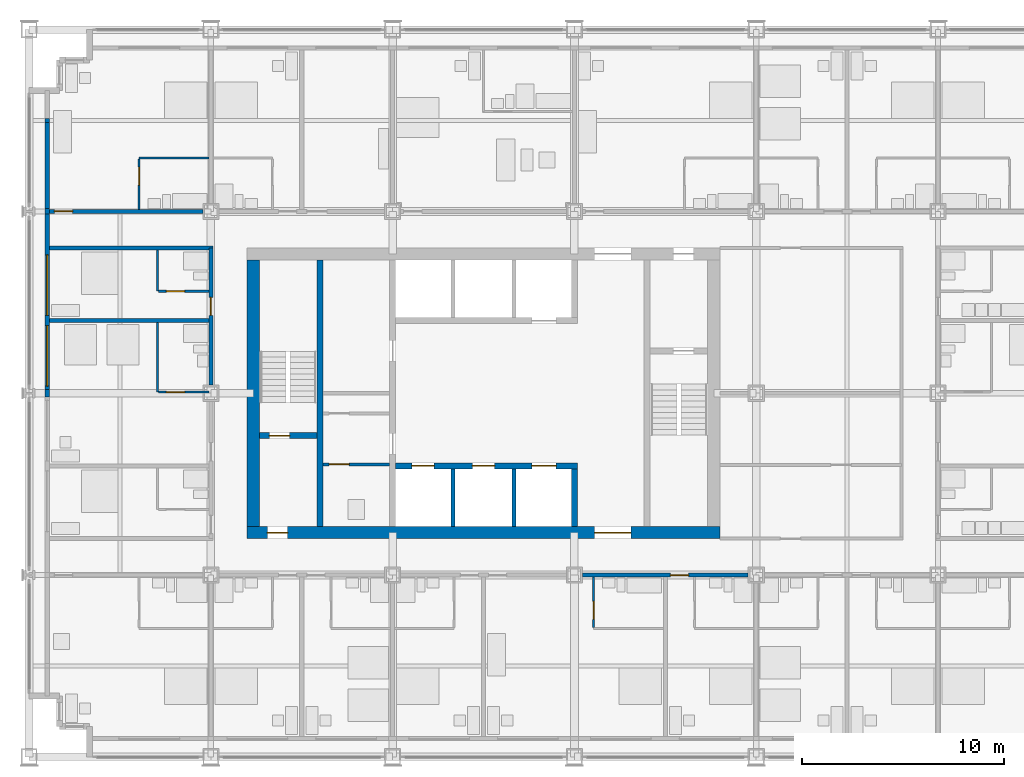
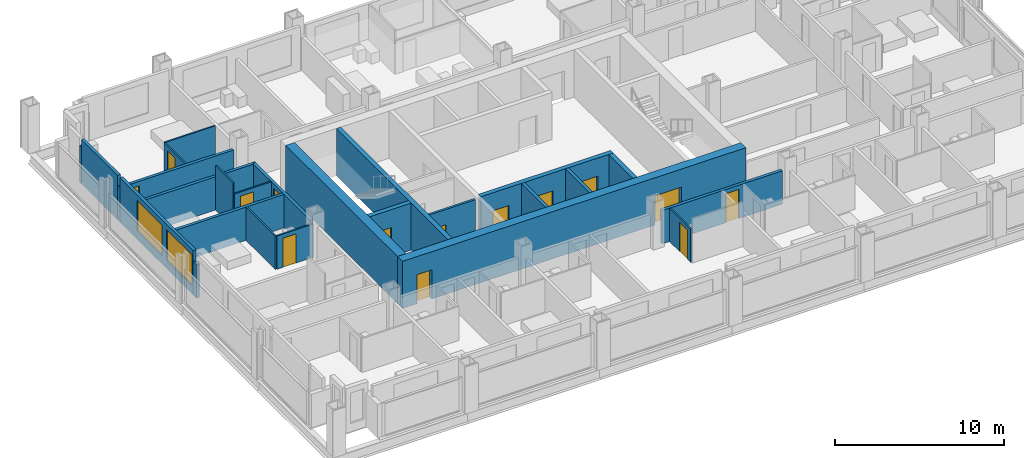
# One storey, part 11 of 18: 26 walls, 14 doors, 2 windows, 16 openings.
"""IFC4 building model written with IfcOpenShell, lengths in metres."""

from ifc_helpers import new_model, si_unit, direction, frame, frame_2d, origin, place, context, subcontext, project, spatial, rectangle, extrude, material, layer, layer_set, type_object, element, fill, save


model = new_model("IFC4")

# Units and contexts
model_context = context("Model", 3, precision=1e-05, world=origin(), true_north=direction((0.0, 1.0)))
body_context = subcontext(model_context, "Body", "Model", "MODEL_VIEW")
ifc_project = project(units=[si_unit("LENGTHUNIT", "METRE"), si_unit("AREAUNIT", "SQUARE_METRE"), si_unit("VOLUMEUNIT", "CUBIC_METRE"), si_unit("PLANEANGLEUNIT", "RADIAN"), si_unit("MASSUNIT", "GRAM", prefix="KILO")], contexts=[model_context])

# Site, building, storey
site_placement = place(None, origin())
site = spatial("IfcSite", under=ifc_project, at=site_placement, CompositionType="ELEMENT")
building_placement = place(site_placement, origin())
building = spatial("IfcBuilding", under=site, at=building_placement, Name="Loomwork Tower", CompositionType="ELEMENT")
storey_placement = place(building_placement, frame((0.0, 0.0, 82.39990234375)))
storey = spatial("IfcBuildingStorey", under=building, at=storey_placement, Name="L21", CompositionType="ELEMENT", Elevation=82.39990234375)

# Wall
ifc_material_1 = material(Name="Concrete 14000 psi (97 MPa)", Category="concrete")
ifc_layer_1 = layer(ifc_material_1, 0.300048828125)
ifc_layer_set_1 = layer_set([ifc_layer_1], Name="Core shear wall 300")
wall_type_1 = type_object("IfcWallType", Name="Core shear wall 300", PredefinedType="SHEAR", material=ifc_layer_set_1)
wall_1_placement = place(storey_placement, frame((14.39990234375, 11.39990234375, 0.0), z_axis=(0.0, 0.0, 1.0), x_axis=(0.0, 1.0, 0.0)))
element("IfcWall", 1, at=wall_1_placement, inside=storey, type_object=wall_type_1, Name="Stair A east wall L21", PredefinedType="SHEAR", context=body_context, shape_type="SweptSolid", body=[
    extrude(rectangle(XDim=13.2001953125, YDim=0.300048828125, at=frame_2d((6.60009765625, 0.0))), origin(), (0.0, 0.0, 1.0), 3.400146484375),
])

# Wall, opening, door
wall_2_placement = place(storey_placement, frame((11.39990234375, 15.89990234375, 0.0), z_axis=(0.0, 0.0, 1.0), x_axis=(1.0, 0.0, 0.0)))
wall_2 = element("IfcWall", 2, at=wall_2_placement, inside=storey, type_object=wall_type_1, Name="Stair A south wall L21", PredefinedType="SHEAR", context=body_context, shape_type="SweptSolid", body=[
    extrude(rectangle(XDim=2.85009765625, YDim=0.300048828125, at=frame_2d((1.425048828125, 0.0))), origin(), (0.0, 0.0, 1.0), 3.400146484375),
])
opening_1_placement = place(wall_2_placement, frame((0.5, 0.0, 0.0)))
opening_1 = element("IfcOpeningElement", 3, at=opening_1_placement, cuts=wall_2, Name="Opening D4", PredefinedType="OPENING", context=body_context, shape_type="SweptSolid", body=[
    extrude(rectangle(XDim=1.0, YDim=2.10009765625, at=frame_2d((0.5, 1.050048828125))), frame((0.0, 0.159912109375, 0.0), z_axis=(0.0, -1.0, 0.0), x_axis=(1.0, 0.0, 0.0)), (0.0, 0.0, 1.0), 0.320068359375),
])
ifc_material_2 = material(Name="Hollow metal door and frame")
door_type_1 = type_object("IfcDoorType", Name="Stair door 1000", OperationType="SINGLE_SWING_RIGHT", PredefinedType="DOOR", material=ifc_material_2)
door_1_placement = place(opening_1_placement, origin())
door_1 = element("IfcDoor", 4, at=door_1_placement, inside=storey, type_object=door_type_1, Name="Stair A door", OperationType="SINGLE_SWING_LEFT", OverallHeight=2.10009765625, OverallWidth=1.0, PredefinedType="DOOR", context=body_context, shape_type="SweptSolid", body=[
    extrude(rectangle(XDim=1.0, YDim=2.10009765625, at=frame_2d((0.5, 1.050048828125))), frame((0.0, 0.02490234375, 0.0), z_axis=(0.0, -1.0, 0.0), x_axis=(1.0, 0.0, 0.0)), (0.0, 0.0, 1.0), 0.050048828125),
])
fill(opening_1, door_1)

# Wall, openings, doors
wall_3_placement = place(storey_placement, frame((18.14990234375, 14.39990234375, 0.0), z_axis=(0.0, 0.0, 1.0), x_axis=(1.0, 0.0, 0.0)))
wall_3 = element("IfcWall", 5, at=wall_3_placement, inside=storey, type_object=wall_type_1, Name="Lift front wall south L21", PredefinedType="SHEAR", context=body_context, shape_type="SweptSolid", body=[
    extrude(rectangle(XDim=9.0, YDim=0.300048828125, at=frame_2d((4.5, 0.0))), origin(), (0.0, 0.0, 1.0), 3.400146484375),
])
opening_2_placement = place(wall_3_placement, frame((0.800048828125, 0.0, 0.0)))
opening_2 = element("IfcOpeningElement", 6, at=opening_2_placement, cuts=wall_3, Name="Opening LD1", PredefinedType="OPENING", context=body_context, shape_type="SweptSolid", body=[
    extrude(rectangle(XDim=1.10009765625, YDim=2.10009765625, at=frame_2d((0.550048828125, 1.050048828125))), frame((0.0, 0.159912109375, 0.0), z_axis=(0.0, -1.0, 0.0), x_axis=(1.0, 0.0, 0.0)), (0.0, 0.0, 1.0), 0.320068359375),
])
opening_3_placement = place(wall_3_placement, frame((3.800048828125, 0.0, 0.0)))
opening_3 = element("IfcOpeningElement", 7, at=opening_3_placement, cuts=wall_3, Name="Opening LD1", PredefinedType="OPENING", context=body_context, shape_type="SweptSolid", body=[
    extrude(rectangle(XDim=1.10009765625, YDim=2.10009765625, at=frame_2d((0.550048828125, 1.050048828125))), frame((0.0, 0.159912109375, 0.0), z_axis=(0.0, -1.0, 0.0), x_axis=(1.0, 0.0, 0.0)), (0.0, 0.0, 1.0), 0.320068359375),
])
opening_4_placement = place(wall_3_placement, frame((6.75, 0.0, 0.0)))
opening_4 = element("IfcOpeningElement", 8, at=opening_4_placement, cuts=wall_3, Name="Opening LD2", PredefinedType="OPENING", context=body_context, shape_type="SweptSolid", body=[
    extrude(rectangle(XDim=1.199951171875, YDim=2.10009765625, at=frame_2d((0.60009765625, 1.050048828125))), frame((0.0, 0.159912109375, 0.0), z_axis=(0.0, -1.0, 0.0), x_axis=(1.0, 0.0, 0.0)), (0.0, 0.0, 1.0), 0.320068359375),
])
ifc_material_3 = material(Name="Hollow metal door and frame")
door_type_2 = type_object("IfcDoorType", Name="Lift landing door 1100", OperationType="SLIDING_TO_LEFT", PredefinedType="DOOR", material=ifc_material_3)
door_2_placement = place(opening_2_placement, origin())
door_2 = element("IfcDoor", 9, at=door_2_placement, inside=storey, type_object=door_type_2, Name="Lift landing door LA1", OperationType="SLIDING_TO_LEFT", OverallHeight=2.10009765625, OverallWidth=1.10009765625, PredefinedType="DOOR", context=body_context, shape_type="SweptSolid", body=[
    extrude(rectangle(XDim=1.10009765625, YDim=2.10009765625, at=frame_2d((0.550048828125, 1.050048828125))), frame((0.0, 0.02490234375, 0.0), z_axis=(0.0, -1.0, 0.0), x_axis=(1.0, 0.0, 0.0)), (0.0, 0.0, 1.0), 0.050048828125),
])
fill(opening_2, door_2)
door_3_placement = place(opening_3_placement, origin())
door_3 = element("IfcDoor", 10, at=door_3_placement, inside=storey, type_object=door_type_2, Name="Lift landing door LA2", OperationType="SLIDING_TO_LEFT", OverallHeight=2.10009765625, OverallWidth=1.10009765625, PredefinedType="DOOR", context=body_context, shape_type="SweptSolid", body=[
    extrude(rectangle(XDim=1.10009765625, YDim=2.10009765625, at=frame_2d((0.550048828125, 1.050048828125))), frame((0.0, 0.02490234375, 0.0), z_axis=(0.0, -1.0, 0.0), x_axis=(1.0, 0.0, 0.0)), (0.0, 0.0, 1.0), 0.050048828125),
])
fill(opening_3, door_3)
ifc_material_4 = material(Name="Hollow metal door and frame")
door_type_3 = type_object("IfcDoorType", Name="Lift landing door 1200", OperationType="SLIDING_TO_LEFT", PredefinedType="DOOR", material=ifc_material_4)
door_4_placement = place(opening_4_placement, origin())
door_4 = element("IfcDoor", 11, at=door_4_placement, inside=storey, type_object=door_type_3, Name="Lift landing door LF1", OperationType="SLIDING_TO_LEFT", OverallHeight=2.10009765625, OverallWidth=1.199951171875, PredefinedType="DOOR", context=body_context, shape_type="SweptSolid", body=[
    extrude(rectangle(XDim=1.199951171875, YDim=2.10009765625, at=frame_2d((0.60009765625, 1.050048828125))), frame((0.0, 0.02490234375, 0.0), z_axis=(0.0, -1.0, 0.0), x_axis=(1.0, 0.0, 0.0)), (0.0, 0.0, 1.0), 0.050048828125),
])
fill(opening_4, door_4)

# Wall
wall_4_placement = place(storey_placement, frame((27.0, 11.39990234375, 0.0), z_axis=(0.0, 0.0, 1.0), x_axis=(0.0, 1.0, 0.0)))
element("IfcWall", 12, at=wall_4_placement, inside=storey, type_object=wall_type_1, Name="Lift shaft end wall south L21", PredefinedType="SHEAR", context=body_context, shape_type="SweptSolid", body=[
    extrude(rectangle(XDim=2.85009765625, YDim=0.300048828125, at=frame_2d((1.425048828125, 0.0))), origin(), (0.0, 0.0, 1.0), 3.400146484375),
])

# Wall, openings, doors
ifc_material_5 = material(Name="Concrete 14000 psi (97 MPa)", Category="concrete")
ifc_layer_2 = layer(ifc_material_5, 0.60009765625)
ifc_layer_set_2 = layer_set([ifc_layer_2], Name="Core shear wall 600")
wall_type_2 = type_object("IfcWallType", Name="Core shear wall 600", PredefinedType="SHEAR", material=ifc_layer_set_2)
wall_5_placement = place(storey_placement, frame((10.800048828125, 11.10009765625, 0.0), z_axis=(0.0, 0.0, 1.0), x_axis=(1.0, 0.0, 0.0)))
wall_5 = element("IfcWall", 13, at=wall_5_placement, inside=storey, type_object=wall_type_2, Name="Core wall south L21", PredefinedType="SHEAR", context=body_context, shape_type="SweptSolid", body=[
    extrude(rectangle(XDim=23.39990234375, YDim=0.60009765625, at=frame_2d((11.699951171875, 0.0))), origin(), (0.0, 0.0, 1.0), 3.400146484375),
])
opening_5_placement = place(wall_5_placement, frame((1.0, 0.0, 0.0)))
opening_5 = element("IfcOpeningElement", 14, at=opening_5_placement, cuts=wall_5, Name="Opening D4", PredefinedType="OPENING", context=body_context, shape_type="SweptSolid", body=[
    extrude(rectangle(XDim=1.0, YDim=2.10009765625, at=frame_2d((0.5, 1.050048828125))), frame((0.0, 0.31005859375, 0.0), z_axis=(0.0, -1.0, 0.0), x_axis=(1.0, 0.0, 0.0)), (0.0, 0.0, 1.0), 0.6201171875),
])
opening_6_placement = place(wall_5_placement, frame((17.199951171875, 0.0, 0.0)))
opening_6 = element("IfcOpeningElement", 15, at=opening_6_placement, cuts=wall_5, Name="Opening D6", PredefinedType="OPENING", context=body_context, shape_type="SweptSolid", body=[
    extrude(rectangle(XDim=1.800048828125, YDim=2.10009765625, at=frame_2d((0.89990234375, 1.050048828125))), frame((0.0, 0.31005859375, 0.0), z_axis=(0.0, -1.0, 0.0), x_axis=(1.0, 0.0, 0.0)), (0.0, 0.0, 1.0), 0.6201171875),
])
ifc_material_6 = material(Name="Hollow metal door and frame")
door_type_4 = type_object("IfcDoorType", Name="Lobby passage double door 1800", OperationType="DOUBLE_DOOR_SINGLE_SWING", PredefinedType="DOOR", material=ifc_material_6)
door_5_placement = place(opening_6_placement, origin())
door_5 = element("IfcDoor", 16, at=door_5_placement, inside=storey, type_object=door_type_4, Name="Lobby passage door south", OperationType="DOUBLE_DOOR_SINGLE_SWING", OverallHeight=2.10009765625, OverallWidth=1.800048828125, PredefinedType="DOOR", context=body_context, shape_type="SweptSolid", body=[
    extrude(rectangle(XDim=1.800048828125, YDim=2.10009765625, at=frame_2d((0.89990234375, 1.050048828125))), frame((0.0, 0.02490234375, 0.0), z_axis=(0.0, -1.0, 0.0), x_axis=(1.0, 0.0, 0.0)), (0.0, 0.0, 1.0), 0.050048828125),
])
fill(opening_6, door_5)
door_6_placement = place(opening_5_placement, origin())
door_6 = element("IfcDoor", 17, at=door_6_placement, inside=storey, type_object=door_type_1, Name="Stair A vestibule door", OperationType="SINGLE_SWING_LEFT", OverallHeight=2.10009765625, OverallWidth=1.0, PredefinedType="DOOR", context=body_context, shape_type="SweptSolid", body=[
    extrude(rectangle(XDim=1.0, YDim=2.10009765625, at=frame_2d((0.5, 1.050048828125))), frame((0.0, 0.02490234375, 0.0), z_axis=(0.0, -1.0, 0.0), x_axis=(1.0, 0.0, 0.0)), (0.0, 0.0, 1.0), 0.050048828125),
])
fill(opening_5, door_6)

# Wall
wall_6_placement = place(storey_placement, frame((11.10009765625, 11.39990234375, 0.0), z_axis=(0.0, 0.0, 1.0), x_axis=(0.0, 1.0, 0.0)))
element("IfcWall", 18, at=wall_6_placement, inside=storey, type_object=wall_type_2, Name="Core wall west L21", PredefinedType="SHEAR", context=body_context, shape_type="SweptSolid", body=[
    extrude(rectangle(XDim=13.2001953125, YDim=0.60009765625, at=frame_2d((6.60009765625, 0.0))), origin(), (0.0, 0.0, 1.0), 3.400146484375),
])

# Wall, opening, door
ifc_material_7 = material(Name="Gypsum board on steel studs, one-hour", Category="steel")
ifc_layer_3 = layer(ifc_material_7, 0.199951171875)
ifc_layer_set_3 = layer_set([ifc_layer_3], Name="Corridor wall 200")
wall_type_3 = type_object("IfcWallType", Name="Corridor wall 200", PredefinedType="PARTITIONING", material=ifc_layer_set_3)
wall_7_placement = place(storey_placement, frame((27.39990234375, 9.0, 0.0), z_axis=(0.0, 0.0, 1.0), x_axis=(1.0, 0.0, 0.0)))
wall_7 = element("IfcWall", 19, at=wall_7_placement, inside=storey, type_object=wall_type_3, Name="South corridor wall 4", PredefinedType="PARTITIONING", context=body_context, shape_type="SweptSolid", body=[
    extrude(rectangle(XDim=8.2001953125, YDim=0.199951171875, at=frame_2d((4.10009765625, 0.0))), origin(), (0.0, 0.0, 1.0), 2.405029296875),
])
opening_7_placement = place(wall_7_placement, frame((4.35009765625, 0.0, 0.0)))
opening_7 = element("IfcOpeningElement", 20, at=opening_7_placement, cuts=wall_7, Name="Opening D1", PredefinedType="OPENING", context=body_context, shape_type="SweptSolid", body=[
    extrude(rectangle(XDim=0.89990234375, YDim=2.10009765625, at=frame_2d((0.449951171875, 1.050048828125))), frame((0.0, 0.10986328125, 0.0), z_axis=(0.0, -1.0, 0.0), x_axis=(1.0, 0.0, 0.0)), (0.0, 0.0, 1.0), 0.219970703125),
])
ifc_material_8 = material(Name="Hollow metal door and frame")
door_type_5 = type_object("IfcDoorType", Name="Guest room entry door 900", OperationType="SINGLE_SWING_LEFT", PredefinedType="DOOR", material=ifc_material_8)
door_7_placement = place(opening_7_placement, frame((0.89990234375, 0.0, 0.0), z_axis=(0.0, 0.0, 1.0), x_axis=(-1.0, 0.0, 0.0)))
door_7 = element("IfcDoor", 21, at=door_7_placement, inside=storey, type_object=door_type_5, Name="Guest room entry door L21 6", OperationType="SINGLE_SWING_RIGHT", OverallHeight=2.10009765625, OverallWidth=0.89990234375, PredefinedType="DOOR", context=body_context, shape_type="SweptSolid", body=[
    extrude(rectangle(XDim=0.89990234375, YDim=2.10009765625, at=frame_2d((0.449951171875, 1.050048828125))), frame((0.0, 0.02490234375, 0.0), z_axis=(0.0, -1.0, 0.0), x_axis=(1.0, 0.0, 0.0)), (0.0, 0.0, 1.0), 0.050048828125),
])
fill(opening_7, door_7)

wall_8_placement = place(storey_placement, frame((1.0, 27.0, 0.0), z_axis=(0.0, 0.0, 1.0), x_axis=(1.0, 0.0, 0.0)))
wall_8 = element("IfcWall", 22, at=wall_8_placement, inside=storey, type_object=wall_type_3, Name="North corridor wall 1", PredefinedType="PARTITIONING", context=body_context, shape_type="SweptSolid", body=[
    extrude(rectangle(XDim=7.60009765625, YDim=0.199951171875, at=frame_2d((3.800048828125, 0.0))), origin(), (0.0, 0.0, 1.0), 2.43798828125),
])
opening_8_placement = place(wall_8_placement, frame((0.25, 0.0, 0.0)))
opening_8 = element("IfcOpeningElement", 23, at=opening_8_placement, cuts=wall_8, Name="Opening D1", PredefinedType="OPENING", context=body_context, shape_type="SweptSolid", body=[
    extrude(rectangle(XDim=0.89990234375, YDim=2.10009765625, at=frame_2d((0.449951171875, 1.050048828125))), frame((0.0, 0.10986328125, 0.0), z_axis=(0.0, -1.0, 0.0), x_axis=(1.0, 0.0, 0.0)), (0.0, 0.0, 1.0), 0.219970703125),
])
door_8_placement = place(opening_8_placement, origin())
door_8 = element("IfcDoor", 24, at=door_8_placement, inside=storey, type_object=door_type_5, Name="Guest room entry door L21 10", OperationType="SINGLE_SWING_LEFT", OverallHeight=2.10009765625, OverallWidth=0.89990234375, PredefinedType="DOOR", context=body_context, shape_type="SweptSolid", body=[
    extrude(rectangle(XDim=0.89990234375, YDim=2.10009765625, at=frame_2d((0.449951171875, 1.050048828125))), frame((0.0, 0.02490234375, 0.0), z_axis=(0.0, -1.0, 0.0), x_axis=(1.0, 0.0, 0.0)), (0.0, 0.0, 1.0), 0.050048828125),
])
fill(opening_8, door_8)

wall_9_placement = place(storey_placement, frame((9.0, 18.39990234375, 0.0), z_axis=(0.0, 0.0, 1.0), x_axis=(0.0, 1.0, 0.0)))
wall_9 = element("IfcWall", 25, at=wall_9_placement, inside=storey, type_object=wall_type_3, Name="West corridor wall 2", PredefinedType="PARTITIONING", context=body_context, shape_type="SweptSolid", body=[
    extrude(rectangle(XDim=6.800048828125, YDim=0.199951171875, at=frame_2d((3.39990234375, 0.0))), origin(), (0.0, 0.0, 1.0), 2.405029296875),
])
opening_9_placement = place(wall_9_placement, frame((3.449951171875, 0.0, 0.0)))
opening_9 = element("IfcOpeningElement", 26, at=opening_9_placement, cuts=wall_9, Name="Opening D1", PredefinedType="OPENING", context=body_context, shape_type="SweptSolid", body=[
    extrude(rectangle(XDim=0.89990234375, YDim=2.10009765625, at=frame_2d((0.449951171875, 1.050048828125))), frame((0.0, 0.10986328125, 0.0), z_axis=(0.0, -1.0, 0.0), x_axis=(1.0, 0.0, 0.0)), (0.0, 0.0, 1.0), 0.219970703125),
])
door_9_placement = place(opening_9_placement, origin())
door_9 = element("IfcDoor", 27, at=door_9_placement, inside=storey, type_object=door_type_5, Name="Guest room entry door L21 20", OperationType="SINGLE_SWING_LEFT", OverallHeight=2.10009765625, OverallWidth=0.89990234375, PredefinedType="DOOR", context=body_context, shape_type="SweptSolid", body=[
    extrude(rectangle(XDim=0.89990234375, YDim=2.10009765625, at=frame_2d((0.449951171875, 1.050048828125))), frame((0.0, 0.02490234375, 0.0), z_axis=(0.0, -1.0, 0.0), x_axis=(1.0, 0.0, 0.0)), (0.0, 0.0, 1.0), 0.050048828125),
])
fill(opening_9, door_9)

# Wall
wall_10_placement = place(storey_placement, frame((1.0, 25.199951171875, 0.0), z_axis=(0.0, 0.0, 1.0), x_axis=(1.0, 0.0, 0.0)))
element("IfcWall", 28, at=wall_10_placement, inside=storey, type_object=wall_type_3, Name="West band end wall N", PredefinedType="PARTITIONING", context=body_context, shape_type="SweptSolid", body=[
    extrude(rectangle(XDim=8.10009765625, YDim=0.199951171875, at=frame_2d((4.050048828125, 0.0))), origin(), (0.0, 0.0, 1.0), 2.404052734375),
])

# Wall, opening, door
ifc_material_9 = material(Name="Cement board on steel studs", Category="steel")
ifc_layer_4 = layer(ifc_material_9, 0.10009765625)
ifc_layer_set_4 = layer_set([ifc_layer_4], Name="En-suite partition 100")
wall_type_4 = type_object("IfcWallType", Name="En-suite partition 100", PredefinedType="PARTITIONING", material=ifc_layer_set_4)
wall_11_placement = place(storey_placement, frame((27.949951171875, 8.89990234375, 0.0), z_axis=(0.0, 0.0, 1.0), x_axis=(0.0, -1.0, 0.0)))
wall_11 = element("IfcWall", 29, at=wall_11_placement, inside=storey, type_object=wall_type_4, Name="En-suite side wall L21 room 5", PredefinedType="PARTITIONING", context=body_context, shape_type="SweptSolid", body=[
    extrude(rectangle(XDim=2.5, YDim=0.10009765625, at=frame_2d((1.25, 0.0))), origin(), (0.0, 0.0, 1.0), 2.404052734375),
])
opening_10_placement = place(wall_11_placement, frame((1.199951171875, 0.0, 0.0)))
opening_10 = element("IfcOpeningElement", 30, at=opening_10_placement, cuts=wall_11, Name="Opening D2", PredefinedType="OPENING", context=body_context, shape_type="SweptSolid", body=[
    extrude(rectangle(XDim=0.89990234375, YDim=2.10009765625, at=frame_2d((0.449951171875, 1.050048828125))), frame((0.0, 0.06005859375, 0.0), z_axis=(0.0, -1.0, 0.0), x_axis=(1.0, 0.0, 0.0)), (0.0, 0.0, 1.0), 0.1201171875),
])
ifc_material_10 = material(Name="Hollow metal door and frame")
door_type_6 = type_object("IfcDoorType", Name="En-suite door 900", OperationType="SINGLE_SWING_LEFT", PredefinedType="DOOR", material=ifc_material_10)
door_10_placement = place(opening_10_placement, origin())
door_10 = element("IfcDoor", 31, at=door_10_placement, inside=storey, type_object=door_type_6, Name="En-suite door room 5", OperationType="SINGLE_SWING_RIGHT", OverallHeight=2.10009765625, OverallWidth=0.89990234375, PredefinedType="DOOR", context=body_context, shape_type="SweptSolid", body=[
    extrude(rectangle(XDim=0.89990234375, YDim=2.10009765625, at=frame_2d((0.449951171875, 1.050048828125))), frame((0.0, 0.02490234375, 0.0), z_axis=(0.0, -1.0, 0.0), x_axis=(1.0, 0.0, 0.0)), (0.0, 0.0, 1.0), 0.050048828125),
])
fill(opening_10, door_10)

# Wall
wall_12_placement = place(storey_placement, frame((5.449951171875, 29.64990234375, 0.0), z_axis=(0.0, 0.0, 1.0), x_axis=(1.0, 0.0, 0.0)))
element("IfcWall", 32, at=wall_12_placement, inside=storey, type_object=wall_type_4, Name="En-suite wall L21 room 10", PredefinedType="PARTITIONING", context=body_context, shape_type="SweptSolid", body=[
    extrude(rectangle(XDim=3.449951171875, YDim=0.10009765625, at=frame_2d((1.72509765625, 0.0))), origin(), (0.0, 0.0, 1.0), 2.43798828125),
])

# Wall, opening, door
wall_13_placement = place(storey_placement, frame((5.449951171875, 27.10009765625, 0.0), z_axis=(0.0, 0.0, 1.0), x_axis=(0.0, 1.0, 0.0)))
wall_13 = element("IfcWall", 33, at=wall_13_placement, inside=storey, type_object=wall_type_4, Name="En-suite side wall L21 room 10", PredefinedType="PARTITIONING", context=body_context, shape_type="SweptSolid", body=[
    extrude(rectangle(XDim=2.5, YDim=0.10009765625, at=frame_2d((1.25, 0.0))), origin(), (0.0, 0.0, 1.0), 2.43798828125),
])
opening_11_placement = place(wall_13_placement, frame((1.199951171875, 0.0, 0.0)))
opening_11 = element("IfcOpeningElement", 34, at=opening_11_placement, cuts=wall_13, Name="Opening D2", PredefinedType="OPENING", context=body_context, shape_type="SweptSolid", body=[
    extrude(rectangle(XDim=0.89990234375, YDim=2.10009765625, at=frame_2d((0.449951171875, 1.050048828125))), frame((0.0, 0.06005859375, 0.0), z_axis=(0.0, -1.0, 0.0), x_axis=(1.0, 0.0, 0.0)), (0.0, 0.0, 1.0), 0.1201171875),
])
door_11_placement = place(opening_11_placement, frame((0.89990234375, 0.0, 0.0), z_axis=(0.0, 0.0, 1.0), x_axis=(-1.0, 0.0, 0.0)))
door_11 = element("IfcDoor", 35, at=door_11_placement, inside=storey, type_object=door_type_6, Name="En-suite door room 10", OperationType="SINGLE_SWING_LEFT", OverallHeight=2.10009765625, OverallWidth=0.89990234375, PredefinedType="DOOR", context=body_context, shape_type="SweptSolid", body=[
    extrude(rectangle(XDim=0.89990234375, YDim=2.10009765625, at=frame_2d((0.449951171875, 1.050048828125))), frame((0.0, 0.02490234375, 0.0), z_axis=(0.0, -1.0, 0.0), x_axis=(1.0, 0.0, 0.0)), (0.0, 0.0, 1.0), 0.050048828125),
])
fill(opening_11, door_11)

# Wall
wall_14_placement = place(storey_placement, frame((6.35009765625, 18.050048828125, 0.0), z_axis=(0.0, 0.0, 1.0), x_axis=(0.0, 1.0, 0.0)))
element("IfcWall", 36, at=wall_14_placement, inside=storey, type_object=wall_type_4, Name="En-suite wall L21 room 19", PredefinedType="PARTITIONING", context=body_context, shape_type="SweptSolid", body=[
    extrude(rectangle(XDim=3.449951171875, YDim=0.10009765625, at=frame_2d((1.72509765625, 0.0))), origin(), (0.0, 0.0, 1.0), 2.404052734375),
])

# Wall, opening, door
wall_15_placement = place(storey_placement, frame((8.89990234375, 18.050048828125, 0.0), z_axis=(0.0, 0.0, 1.0), x_axis=(-1.0, 0.0, 0.0)))
wall_15 = element("IfcWall", 37, at=wall_15_placement, inside=storey, type_object=wall_type_4, Name="En-suite side wall L21 room 19", PredefinedType="PARTITIONING", context=body_context, shape_type="SweptSolid", body=[
    extrude(rectangle(XDim=2.5, YDim=0.10009765625, at=frame_2d((1.25, 0.0))), origin(), (0.0, 0.0, 1.0), 2.405029296875),
])
opening_12_placement = place(wall_15_placement, frame((1.199951171875, 0.0, 0.0)))
opening_12 = element("IfcOpeningElement", 38, at=opening_12_placement, cuts=wall_15, Name="Opening D2", PredefinedType="OPENING", context=body_context, shape_type="SweptSolid", body=[
    extrude(rectangle(XDim=0.89990234375, YDim=2.10009765625, at=frame_2d((0.449951171875, 1.050048828125))), frame((0.0, 0.06005859375, 0.0), z_axis=(0.0, -1.0, 0.0), x_axis=(1.0, 0.0, 0.0)), (0.0, 0.0, 1.0), 0.1201171875),
])
door_12_placement = place(opening_12_placement, frame((0.89990234375, 0.0, 0.0), z_axis=(0.0, 0.0, 1.0), x_axis=(-1.0, 0.0, 0.0)))
door_12 = element("IfcDoor", 39, at=door_12_placement, inside=storey, type_object=door_type_6, Name="En-suite door room 19", OperationType="SINGLE_SWING_LEFT", OverallHeight=2.10009765625, OverallWidth=0.89990234375, PredefinedType="DOOR", context=body_context, shape_type="SweptSolid", body=[
    extrude(rectangle(XDim=0.89990234375, YDim=2.10009765625, at=frame_2d((0.449951171875, 1.050048828125))), frame((0.0, 0.02490234375, 0.0), z_axis=(0.0, -1.0, 0.0), x_axis=(1.0, 0.0, 0.0)), (0.0, 0.0, 1.0), 0.050048828125),
])
fill(opening_12, door_12)

# Wall
wall_16_placement = place(storey_placement, frame((6.35009765625, 23.050048828125, 0.0), z_axis=(0.0, 0.0, 1.0), x_axis=(0.0, 1.0, 0.0)))
element("IfcWall", 40, at=wall_16_placement, inside=storey, type_object=wall_type_4, Name="En-suite wall L21 room 20", PredefinedType="PARTITIONING", context=body_context, shape_type="SweptSolid", body=[
    extrude(rectangle(XDim=2.050048828125, YDim=0.10009765625, at=frame_2d((1.02490234375, 0.0))), origin(), (0.0, 0.0, 1.0), 3.2001953125),
])

# Wall, opening, door
wall_17_placement = place(storey_placement, frame((8.89990234375, 23.050048828125, 0.0), z_axis=(0.0, 0.0, 1.0), x_axis=(-1.0, 0.0, 0.0)))
wall_17 = element("IfcWall", 41, at=wall_17_placement, inside=storey, type_object=wall_type_4, Name="En-suite side wall L21 room 20", PredefinedType="PARTITIONING", context=body_context, shape_type="SweptSolid", body=[
    extrude(rectangle(XDim=2.5, YDim=0.10009765625, at=frame_2d((1.25, 0.0))), origin(), (0.0, 0.0, 1.0), 2.404052734375),
])
opening_13_placement = place(wall_17_placement, frame((1.199951171875, 0.0, 0.0)))
opening_13 = element("IfcOpeningElement", 42, at=opening_13_placement, cuts=wall_17, Name="Opening D2", PredefinedType="OPENING", context=body_context, shape_type="SweptSolid", body=[
    extrude(rectangle(XDim=0.89990234375, YDim=2.10009765625, at=frame_2d((0.449951171875, 1.050048828125))), frame((0.0, 0.06005859375, 0.0), z_axis=(0.0, -1.0, 0.0), x_axis=(1.0, 0.0, 0.0)), (0.0, 0.0, 1.0), 0.1201171875),
])
door_13_placement = place(opening_13_placement, frame((0.89990234375, 0.0, 0.0), z_axis=(0.0, 0.0, 1.0), x_axis=(-1.0, 0.0, 0.0)))
door_13 = element("IfcDoor", 43, at=door_13_placement, inside=storey, type_object=door_type_6, Name="En-suite door room 20", OperationType="SINGLE_SWING_LEFT", OverallHeight=2.10009765625, OverallWidth=0.89990234375, PredefinedType="DOOR", context=body_context, shape_type="SweptSolid", body=[
    extrude(rectangle(XDim=0.89990234375, YDim=2.10009765625, at=frame_2d((0.449951171875, 1.050048828125))), frame((0.0, 0.02490234375, 0.0), z_axis=(0.0, -1.0, 0.0), x_axis=(1.0, 0.0, 0.0)), (0.0, 0.0, 1.0), 0.050048828125),
])
fill(opening_13, door_13)

# Walls
ifc_material_11 = material(Name="Gypsum board on steel studs, acoustic", Category="steel")
ifc_layer_5 = layer(ifc_material_11, 0.199951171875)
ifc_layer_set_5 = layer_set([ifc_layer_5], Name="Guest room party wall 200")
wall_type_5 = type_object("IfcWallType", Name="Guest room party wall 200", PredefinedType="PARTITIONING", material=ifc_layer_set_5)
wall_18_placement = place(storey_placement, frame((8.89990234375, 21.60009765625, 0.0), z_axis=(0.0, 0.0, 1.0), x_axis=(-1.0, 0.0, 0.0)))
element("IfcWall", 44, at=wall_18_placement, inside=storey, type_object=wall_type_5, Name="Guest room party wall W 21.6", PredefinedType="PARTITIONING", context=body_context, shape_type="SweptSolid", body=[
    extrude(rectangle(XDim=7.89990234375, YDim=0.199951171875, at=frame_2d((3.949951171875, 0.0))), origin(), (0.0, 0.0, 1.0), 2.404052734375),
])
ifc_material_12 = material(Name="Insulated steel stud wall with gypsum lining", Category="steel")
ifc_layer_6 = layer(ifc_material_12, 0.199951171875)
ifc_layer_set_6 = layer_set([ifc_layer_6], Name="Inner skin wall 200")
wall_type_6 = type_object("IfcWallType", Name="Inner skin wall 200", PredefinedType="SOLIDWALL", material=ifc_layer_set_6)
wall_19_placement = place(storey_placement, frame((0.89990234375, 17.80615234375, 0.0), z_axis=(0.0, 0.0, 1.0), x_axis=(0.0, 1.0, 0.0)))
element("IfcWall", 45, at=wall_19_placement, inside=storey, type_object=wall_type_6, Name="Inner skin wall W bay 6", PredefinedType="SOLIDWALL", context=body_context, shape_type="SweptSolid", body=[
    extrude(rectangle(XDim=0.3876953125, YDim=0.199951171875, at=frame_2d((0.19384765625, 0.0))), origin(), (0.0, 0.0, 1.0), 2.404052734375),
])

# Wall, openings, windows
wall_20_placement = place(storey_placement, frame((0.89990234375, 18.19384765625, 0.0), z_axis=(0.0, 0.0, 1.0), x_axis=(0.0, 1.0, 0.0)))
wall_20 = element("IfcWall", 46, at=wall_20_placement, inside=storey, type_object=wall_type_6, Name="Inner skin wall W bay 7", PredefinedType="SOLIDWALL", context=body_context, shape_type="SweptSolid", body=[
    extrude(rectangle(XDim=8.6708984375, YDim=0.199951171875, at=frame_2d((4.33544921875, 0.0))), origin(), (0.0, 0.0, 1.0), 3.2001953125),
])
opening_14_placement = place(wall_20_placement, frame((0.15625, 0.0, 0.60009765625)))
opening_14 = element("IfcOpeningElement", 47, at=opening_14_placement, cuts=wall_20, Name="Opening CH1", PredefinedType="OPENING", context=body_context, shape_type="SweptSolid", body=[
    extrude(rectangle(XDim=3.0, YDim=2.199951171875, at=frame_2d((1.5, 1.10009765625))), frame((0.0, 0.10986328125, 0.0), z_axis=(0.0, -1.0, 0.0), x_axis=(1.0, 0.0, 0.0)), (0.0, 0.0, 1.0), 0.219970703125),
])
opening_15_placement = place(wall_20_placement, frame((3.65625, 0.0, 0.60009765625)))
opening_15 = element("IfcOpeningElement", 48, at=opening_15_placement, cuts=wall_20, Name="Opening CH1", PredefinedType="OPENING", context=body_context, shape_type="SweptSolid", body=[
    extrude(rectangle(XDim=3.0, YDim=2.199951171875, at=frame_2d((1.5, 1.10009765625))), frame((0.0, 0.10986328125, 0.0), z_axis=(0.0, -1.0, 0.0), x_axis=(1.0, 0.0, 0.0)), (0.0, 0.0, 1.0), 0.219970703125),
])
ifc_material_13 = material(Name="Aluminium frame with clear insulated glass", Category="aluminium")
window_type = type_object("IfcWindowType", Name="Chicago window 3000", PartitioningType="TRIPLE_PANEL_VERTICAL", PredefinedType="WINDOW", material=ifc_material_13)
window_1_placement = place(opening_14_placement, origin())
window_1 = element("IfcWindow", 49, at=window_1_placement, inside=storey, type_object=window_type, Name="Chicago window L21 bay 14", OverallHeight=2.199951171875, OverallWidth=3.0, PartitioningType="TRIPLE_PANEL_VERTICAL", PredefinedType="WINDOW", context=body_context, shape_type="SweptSolid", body=[
    extrude(rectangle(XDim=3.0, YDim=2.199951171875, at=frame_2d((1.5, 1.10009765625))), frame((0.0, 0.030029296875, 0.0), z_axis=(0.0, -1.0, 0.0), x_axis=(1.0, 0.0, 0.0)), (0.0, 0.0, 1.0), 0.06005859375),
])
fill(opening_14, window_1)
window_2_placement = place(opening_15_placement, origin())
window_2 = element("IfcWindow", 50, at=window_2_placement, inside=storey, type_object=window_type, Name="Chicago window L21 bay 14", OverallHeight=2.199951171875, OverallWidth=3.0, PartitioningType="TRIPLE_PANEL_VERTICAL", PredefinedType="WINDOW", context=body_context, shape_type="SweptSolid", body=[
    extrude(rectangle(XDim=3.0, YDim=2.199951171875, at=frame_2d((1.5, 1.10009765625))), frame((0.0, 0.030029296875, 0.0), z_axis=(0.0, -1.0, 0.0), x_axis=(1.0, 0.0, 0.0)), (0.0, 0.0, 1.0), 0.06005859375),
])
fill(opening_15, window_2)

# Walls
wall_21_placement = place(storey_placement, frame((0.89990234375, 26.86474609375, 0.0), z_axis=(0.0, 0.0, 1.0), x_axis=(0.0, 1.0, 0.0)))
element("IfcWall", 51, at=wall_21_placement, inside=storey, type_object=wall_type_6, Name="Inner skin wall W bay 8", PredefinedType="SOLIDWALL", context=body_context, shape_type="SweptSolid", body=[
    extrude(rectangle(XDim=0.2705078125, YDim=0.199951171875, at=frame_2d((0.13525390625, 0.0))), origin(), (0.0, 0.0, 1.0), 2.43798828125),
])
wall_22_placement = place(storey_placement, frame((0.89990234375, 27.13525390625, 0.0), z_axis=(0.0, 0.0, 1.0), x_axis=(0.0, 1.0, 0.0)))
element("IfcWall", 52, at=wall_22_placement, inside=storey, type_object=wall_type_6, Name="Inner skin wall W bay 9", PredefinedType="SOLIDWALL", context=body_context, shape_type="SweptSolid", body=[
    extrude(rectangle(XDim=4.25732421875, YDim=0.199951171875, at=frame_2d((2.128662109375, 0.0))), origin(), (0.0, 0.0, 1.0), 3.2001953125),
])
wall_23_placement = place(storey_placement, frame((0.89990234375, 31.392578125, 0.0), z_axis=(0.0, 0.0, 1.0), x_axis=(0.0, 1.0, 0.0)))
element("IfcWall", 53, at=wall_23_placement, inside=storey, type_object=wall_type_6, Name="Inner skin wall W bay 10", PredefinedType="SOLIDWALL", context=body_context, shape_type="SweptSolid", body=[
    extrude(rectangle(XDim=0.21484375, YDim=0.199951171875, at=frame_2d((0.107421875, 0.0))), origin(), (0.0, 0.0, 1.0), 2.6611328125),
])
ifc_material_14 = material(Name="Concrete 14000 psi (97 MPa)", Category="concrete")
ifc_layer_7 = layer(ifc_material_14, 0.199951171875)
ifc_layer_set_7 = layer_set([ifc_layer_7], Name="Lift shaft wall 200")
wall_type_7 = type_object("IfcWallType", Name="Lift shaft wall 200", PredefinedType="SHEAR", material=ifc_layer_set_7)
for number, where, z_axis, x_axis, name in (
    (54, (21.0, 11.39990234375, 0.0), (0.0, 0.0, 1.0), (0.0, 1.0, 0.0), "Lift shaft separation wall south 1 L21"),
    (55, (24.0, 11.39990234375, 0.0), (0.0, 0.0, 1.0), (0.0, 1.0, 0.0), "Lift shaft separation wall south 2 L21"),
):
    element("IfcWall", number, at=place(storey_placement, frame(where, z_axis=z_axis, x_axis=x_axis)), inside=storey, type_object=wall_type_7, Name=name, PredefinedType="SHEAR", context=body_context, shape_type="SweptSolid", body=[
        extrude(rectangle(XDim=2.85009765625, YDim=0.199951171875, at=frame_2d((1.425048828125, 0.0))), origin(), (0.0, 0.0, 1.0), 3.400146484375),
    ])

# Wall, opening, door
ifc_material_15 = material(Name="Gypsum board on steel studs, one-hour", Category="steel")
ifc_layer_8 = layer(ifc_material_15, 0.14990234375)
ifc_layer_set_8 = layer_set([ifc_layer_8], Name="Service partition 150")
wall_type_8 = type_object("IfcWallType", Name="Service partition 150", PredefinedType="PARTITIONING", material=ifc_layer_set_8)
wall_24_placement = place(storey_placement, frame((14.550048828125, 14.47509765625, 0.0), z_axis=(0.0, 0.0, 1.0), x_axis=(1.0, 0.0, 0.0)))
wall_24 = element("IfcWall", 56, at=wall_24_placement, inside=storey, type_object=wall_type_8, Name="Back-of-house partition L21", PredefinedType="PARTITIONING", context=body_context, shape_type="SweptSolid", body=[
    extrude(rectangle(XDim=3.300048828125, YDim=0.14990234375, at=frame_2d((1.64990234375, 0.0))), origin(), (0.0, 0.0, 1.0), 3.2001953125),
])
opening_16_placement = place(wall_24_placement, frame((0.300048828125, 0.0, 0.0)))
opening_16 = element("IfcOpeningElement", 57, at=opening_16_placement, cuts=wall_24, Name="Opening D5", PredefinedType="OPENING", context=body_context, shape_type="SweptSolid", body=[
    extrude(rectangle(XDim=1.0, YDim=2.10009765625, at=frame_2d((0.5, 1.050048828125))), frame((0.0, 0.0849609375, 0.0), z_axis=(0.0, -1.0, 0.0), x_axis=(1.0, 0.0, 0.0)), (0.0, 0.0, 1.0), 0.169921875),
])
ifc_material_16 = material(Name="Hollow metal door and frame")
door_type_7 = type_object("IfcDoorType", Name="Service door 1000", OperationType="SINGLE_SWING_LEFT", PredefinedType="DOOR", material=ifc_material_16)
door_14_placement = place(opening_16_placement, origin())
door_14 = element("IfcDoor", 58, at=door_14_placement, inside=storey, type_object=door_type_7, Name="Back-of-house room door", OperationType="SINGLE_SWING_LEFT", OverallHeight=2.10009765625, OverallWidth=1.0, PredefinedType="DOOR", context=body_context, shape_type="SweptSolid", body=[
    extrude(rectangle(XDim=1.0, YDim=2.10009765625, at=frame_2d((0.5, 1.050048828125))), frame((0.0, 0.02490234375, 0.0), z_axis=(0.0, -1.0, 0.0), x_axis=(1.0, 0.0, 0.0)), (0.0, 0.0, 1.0), 0.050048828125),
])
fill(opening_16, door_14)

save(model, "model.ifc")
